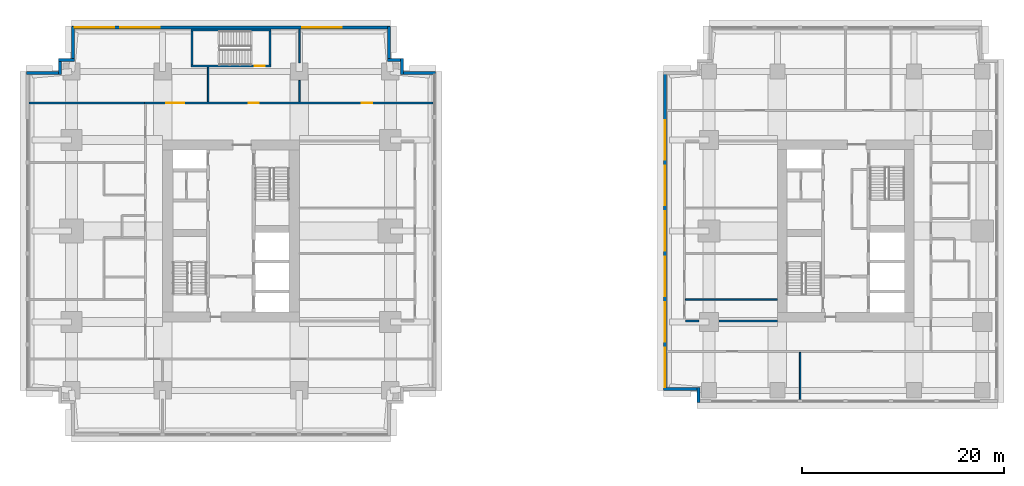
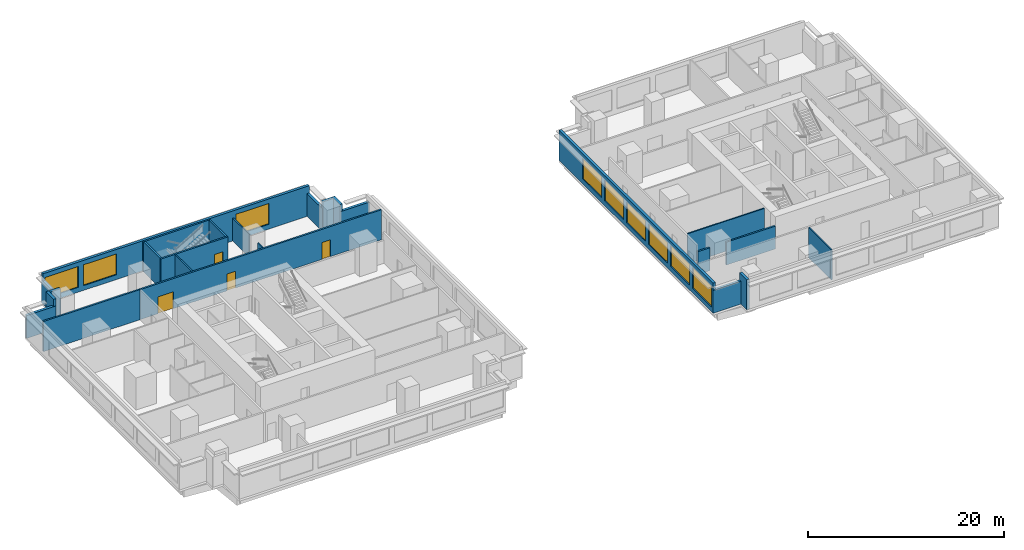
# One storey, part 5 of 10: 25 walls, 9 windows, 4 doors, 13 openings.
"""IFC4 building model written with IfcOpenShell, lengths in metres."""

from ifc_helpers import new_model, si_unit, direction, frame, frame_2d, origin, place, context, subcontext, project, spatial, rectangle, extrude, material, layer, layer_set, type_object, element, fill, save


model = new_model("IFC4")

# Units and contexts
model_context = context("Model", 3, precision=1e-05, world=origin(), true_north=direction((0.0, 1.0)))
body_context = subcontext(model_context, "Body", "Model", "MODEL_VIEW")
ifc_project = project(units=[si_unit("LENGTHUNIT", "METRE"), si_unit("AREAUNIT", "SQUARE_METRE"), si_unit("VOLUMEUNIT", "CUBIC_METRE"), si_unit("PLANEANGLEUNIT", "RADIAN"), si_unit("MASSUNIT", "GRAM", prefix="KILO")], contexts=[model_context])

# Site, building, storey
site_placement = place(None, origin())
site = spatial("IfcSite", under=ifc_project, at=site_placement, CompositionType="ELEMENT")
building_placement = place(site_placement, origin())
building = spatial("IfcBuilding", under=site, at=building_placement, Name="Namib Vertical Campus", CompositionType="ELEMENT")
storey_placement = place(building_placement, frame((0.0, 0.0, 157.0)))
storey = spatial("IfcBuildingStorey", under=building, at=storey_placement, Name="L37", CompositionType="ELEMENT", Elevation=157.0)

# Wall, openings, doors
ifc_material_1 = material(Name="Concrete masonry", Category="masonry")
ifc_layer_1 = layer(ifc_material_1, 0.199951171875)
ifc_layer_set_1 = layer_set([ifc_layer_1], Name="Corridor wall 200")
wall_type_1 = type_object("IfcWallType", Name="Corridor wall 200", PredefinedType="SOLIDWALL", material=ifc_layer_set_1)
wall_1_placement = place(storey_placement, frame((40.199951171875, 32.89990234375, 0.0), z_axis=(0.0, 0.0, 1.0), x_axis=(-1.0, 0.0, 0.0)))
wall_1 = element("IfcWall", 1, at=wall_1_placement, inside=storey, type_object=wall_type_1, Name="Corridor wall A L37 CN", PredefinedType="SOLIDWALL", context=body_context, shape_type="SweptSolid", body=[
    extrude(rectangle(XDim=28.5, YDim=0.199951171875, at=frame_2d((14.25, 0.0))), origin(), (0.0, 0.0, 1.0), 3.75),
])
opening_1_placement = place(wall_1_placement, frame((24.550048828125, 0.0, 0.0)))
opening_1 = element("IfcOpeningElement", 2, at=opening_1_placement, cuts=wall_1, Name="Opening CD2", PredefinedType="OPENING", context=body_context, shape_type="SweptSolid", body=[
    extrude(rectangle(XDim=1.800048828125, YDim=2.10009765625, at=frame_2d((0.89990234375, 1.050048828125))), frame((0.0, 0.10986328125, 0.0), z_axis=(0.0, -1.0, 0.0), x_axis=(1.0, 0.0, 0.0)), (0.0, 0.0, 1.0), 0.219970703125),
])
opening_2_placement = place(wall_1_placement, frame((17.199951171875, 0.0, 0.0)))
opening_2 = element("IfcOpeningElement", 3, at=opening_2_placement, cuts=wall_1, Name="Opening CD1", PredefinedType="OPENING", context=body_context, shape_type="SweptSolid", body=[
    extrude(rectangle(XDim=1.0, YDim=2.10009765625, at=frame_2d((0.5, 1.050048828125))), frame((0.0, 0.10986328125, 0.0), z_axis=(0.0, -1.0, 0.0), x_axis=(1.0, 0.0, 0.0)), (0.0, 0.0, 1.0), 0.219970703125),
])
opening_3_placement = place(wall_1_placement, frame((6.0, 0.0, 0.0)))
opening_3 = element("IfcOpeningElement", 4, at=opening_3_placement, cuts=wall_1, Name="Opening CD1", PredefinedType="OPENING", context=body_context, shape_type="SweptSolid", body=[
    extrude(rectangle(XDim=1.0, YDim=2.10009765625, at=frame_2d((0.5, 1.050048828125))), frame((0.0, 0.10986328125, 0.0), z_axis=(0.0, -1.0, 0.0), x_axis=(1.0, 0.0, 0.0)), (0.0, 0.0, 1.0), 0.219970703125),
])
ifc_material_2 = material(Name="Timber fire door leaf", Category="wood")
door_type_1 = type_object("IfcDoorType", Name="Corridor door 1000x2100 20 min", OperationType="SINGLE_SWING_LEFT", PredefinedType="DOOR", material=ifc_material_2)
door_1_placement = place(opening_2_placement, frame((1.0, 0.0, 0.0), z_axis=(0.0, 0.0, 1.0), x_axis=(-1.0, 0.0, 0.0)))
door_1 = element("IfcDoor", 5, at=door_1_placement, inside=storey, type_object=door_type_1, Name="Door CD1 A37-08", OperationType="SINGLE_SWING_RIGHT", OverallHeight=2.10009765625, OverallWidth=1.0, PredefinedType="DOOR", context=body_context, shape_type="SweptSolid", body=[
    extrude(rectangle(XDim=1.0, YDim=2.10009765625, at=frame_2d((0.5, 1.050048828125))), frame((0.0, 0.02490234375, 0.0), z_axis=(0.0, -1.0, 0.0), x_axis=(1.0, 0.0, 0.0)), (0.0, 0.0, 1.0), 0.050048828125),
])
fill(opening_2, door_1)
door_2_placement = place(opening_3_placement, frame((1.0, 0.0, 0.0), z_axis=(0.0, 0.0, 1.0), x_axis=(-1.0, 0.0, 0.0)))
door_2 = element("IfcDoor", 6, at=door_2_placement, inside=storey, type_object=door_type_1, Name="Door CD1 A37-09", OperationType="SINGLE_SWING_LEFT", OverallHeight=2.10009765625, OverallWidth=1.0, PredefinedType="DOOR", context=body_context, shape_type="SweptSolid", body=[
    extrude(rectangle(XDim=1.0, YDim=2.10009765625, at=frame_2d((0.5, 1.050048828125))), frame((0.0, 0.02490234375, 0.0), z_axis=(0.0, -1.0, 0.0), x_axis=(1.0, 0.0, 0.0)), (0.0, 0.0, 1.0), 0.050048828125),
])
fill(opening_3, door_2)
ifc_material_3 = material(Name="Timber fire door leaf", Category="wood")
door_type_2 = type_object("IfcDoorType", Name="Corridor door double 1800x2100 20 min", OperationType="DOUBLE_DOOR_SINGLE_SWING", PredefinedType="DOOR", material=ifc_material_3)
door_3_placement = place(opening_1_placement, frame((1.800048828125, 0.0, 0.0), z_axis=(0.0, 0.0, 1.0), x_axis=(-1.0, 0.0, 0.0)))
door_3 = element("IfcDoor", 7, at=door_3_placement, inside=storey, type_object=door_type_2, Name="Door CD2 A37-07", OperationType="DOUBLE_DOOR_SINGLE_SWING", OverallHeight=2.10009765625, OverallWidth=1.800048828125, PredefinedType="DOOR", context=body_context, shape_type="SweptSolid", body=[
    extrude(rectangle(XDim=1.800048828125, YDim=2.10009765625, at=frame_2d((0.89990234375, 1.050048828125))), frame((0.0, 0.02490234375, 0.0), z_axis=(0.0, -1.0, 0.0), x_axis=(1.0, 0.0, 0.0)), (0.0, 0.0, 1.0), 0.050048828125),
])
fill(opening_1, door_3)

# Walls
wall_2_placement = place(storey_placement, frame((0.300048828125, 32.89990234375, 0.0), z_axis=(0.0, 0.0, 1.0), x_axis=(1.0, 0.0, 0.0)))
element("IfcWall", 8, at=wall_2_placement, inside=storey, type_object=wall_type_1, Name="Partition A L37 BNW", PredefinedType="SOLIDWALL", context=body_context, shape_type="SweptSolid", body=[
    extrude(rectangle(XDim=11.39990234375, YDim=0.199951171875, at=frame_2d((5.699951171875, 0.0))), origin(), (0.0, 0.0, 1.0), 3.75),
])
wall_3_placement = place(storey_placement, frame((65.14990234375, 11.35009765625, 0.0), z_axis=(0.0, 0.0, 1.0), x_axis=(1.0, 0.0, 0.0)))
element("IfcWall", 9, at=wall_3_placement, inside=storey, type_object=wall_type_1, Name="Corridor wall B L37 GS", PredefinedType="SOLIDWALL", context=body_context, shape_type="SweptSolid", body=[
    extrude(rectangle(XDim=1.380126953125, YDim=0.199951171875, at=frame_2d((0.68994140625, 0.0))), origin(), (0.0, 0.0, 1.0), 2.85009765625),
])
wall_4_placement = place(storey_placement, frame((68.469970703125, 11.35009765625, 0.0), z_axis=(0.0, 0.0, 1.0), x_axis=(1.0, 0.0, 0.0)))
element("IfcWall", 10, at=wall_4_placement, inside=storey, type_object=wall_type_1, Name="Corridor wall B L37 GS", PredefinedType="SOLIDWALL", context=body_context, shape_type="SweptSolid", body=[
    extrude(rectangle(XDim=5.780029296875, YDim=0.199951171875, at=frame_2d((2.89013671875, 0.0))), origin(), (0.0, 0.0, 1.0), 2.85009765625),
])
ifc_material_4 = material(Name="Concrete C40/50", Category="concrete")
ifc_layer_2 = layer(ifc_material_4, 0.300048828125)
ifc_layer_set_2 = layer_set([ifc_layer_2], Name="Concrete C40/50")
wall_type_2 = type_object("IfcWallType", Name="External wall 300 board-marked concrete", PredefinedType="STANDARD", material=ifc_layer_set_2)
wall_5_placement = place(storey_placement, frame((40.47998046875, 35.85009765625, 0.0), z_axis=(0.0, 0.0, 1.0), x_axis=(-1.0, 0.0, 0.0)))
element("IfcWall", 11, at=wall_5_placement, inside=storey, type_object=wall_type_2, Name="External wall L37 F07", PredefinedType="STANDARD", context=body_context, shape_type="SweptSolid", body=[
    extrude(rectangle(XDim=3.4599609375, YDim=0.300048828125, at=frame_2d((1.72998046875, 0.0))), origin(), (0.0, 0.0, 1.0), 2.85009765625),
])
for number, where, z_axis, x_axis, name in (
    (12, (37.14990234375, 35.719970703125, 0.0), (0.0, 0.0, 1.0), (0.0, 1.0, 0.0), "External wall L37 F08"),
    (13, (37.280029296875, 37.14990234375, 0.0), (0.0, 0.0, 1.0), (-1.0, 0.0, 0.0), "External wall L37 F09"),
):
    element("IfcWall", number, at=place(storey_placement, frame(where, z_axis=z_axis, x_axis=x_axis)), inside=storey, type_object=wall_type_2, Name=name, PredefinedType="STANDARD", context=body_context, shape_type="SweptSolid", body=[
        extrude(rectangle(XDim=1.56005859375, YDim=0.300048828125, at=frame_2d((0.780029296875, 0.0))), origin(), (0.0, 0.0, 1.0), 3.75),
    ])
wall_6_placement = place(storey_placement, frame((35.85009765625, 37.02001953125, 0.0), z_axis=(0.0, 0.0, 1.0), x_axis=(0.0, 1.0, 0.0)))
element("IfcWall", 14, at=wall_6_placement, inside=storey, type_object=wall_type_2, Name="External wall L37 F10", PredefinedType="STANDARD", context=body_context, shape_type="SweptSolid", body=[
    extrude(rectangle(XDim=3.4599609375, YDim=0.300048828125, at=frame_2d((1.72998046875, 0.0))), origin(), (0.0, 0.0, 1.0), 2.85009765625),
])

# Wall, openings, windows
wall_7_placement = place(storey_placement, frame((35.97998046875, 40.35009765625, 0.0), z_axis=(0.0, 0.0, 1.0), x_axis=(-1.0, 0.0, 0.0)))
wall_7 = element("IfcWall", 15, at=wall_7_placement, inside=storey, type_object=wall_type_2, Name="External wall L37 F11", PredefinedType="STANDARD", context=body_context, shape_type="SweptSolid", body=[
    extrude(rectangle(XDim=31.4599609375, YDim=0.300048828125, at=frame_2d((15.72998046875, 0.0))), origin(), (0.0, 0.0, 1.0), 3.75),
])
opening_4_placement = place(wall_7_placement, frame((27.280029296875, 0.0, 0.60009765625)))
opening_4 = element("IfcOpeningElement", 16, at=opening_4_placement, cuts=wall_7, Name="Opening W2", PredefinedType="OPENING", context=body_context, shape_type="SweptSolid", body=[
    extrude(rectangle(XDim=3.89990234375, YDim=2.60009765625, at=frame_2d((1.949951171875, 1.300048828125))), frame((0.0, 0.159912109375, 0.0), z_axis=(0.0, -1.0, 0.0), x_axis=(1.0, 0.0, 0.0)), (0.0, 0.0, 1.0), 0.320068359375),
])
opening_5_placement = place(wall_7_placement, frame((22.780029296875, 0.0, 0.60009765625)))
opening_5 = element("IfcOpeningElement", 17, at=opening_5_placement, cuts=wall_7, Name="Opening W2", PredefinedType="OPENING", context=body_context, shape_type="SweptSolid", body=[
    extrude(rectangle(XDim=3.89990234375, YDim=2.60009765625, at=frame_2d((1.949951171875, 1.300048828125))), frame((0.0, 0.159912109375, 0.0), z_axis=(0.0, -1.0, 0.0), x_axis=(1.0, 0.0, 0.0)), (0.0, 0.0, 1.0), 0.320068359375),
])
opening_6_placement = place(wall_7_placement, frame((4.780029296875, 0.0, 0.60009765625)))
opening_6 = element("IfcOpeningElement", 18, at=opening_6_placement, cuts=wall_7, Name="Opening W2", PredefinedType="OPENING", context=body_context, shape_type="SweptSolid", body=[
    extrude(rectangle(XDim=3.89990234375, YDim=2.60009765625, at=frame_2d((1.949951171875, 1.300048828125))), frame((0.0, 0.159912109375, 0.0), z_axis=(0.0, -1.0, 0.0), x_axis=(1.0, 0.0, 0.0)), (0.0, 0.0, 1.0), 0.320068359375),
])
ifc_material_5 = material(Name="Dark tinted glass in black aluminium frame", Category="aluminium")
window_type = type_object("IfcWindowType", Name="Ribbon window 3900x2600", PartitioningType="SINGLE_PANEL", PredefinedType="WINDOW", material=ifc_material_5)
window_1_placement = place(opening_4_placement, origin())
window_1 = element("IfcWindow", 19, at=window_1_placement, inside=storey, type_object=window_type, Name="Window W2 L37 F11-1", OverallHeight=2.60009765625, OverallWidth=3.89990234375, PartitioningType="SINGLE_PANEL", PredefinedType="WINDOW", context=body_context, shape_type="SweptSolid", body=[
    extrude(rectangle(XDim=3.89990234375, YDim=2.60009765625, at=frame_2d((1.949951171875, 1.300048828125))), frame((0.0, 0.030029296875, 0.0), z_axis=(0.0, -1.0, 0.0), x_axis=(1.0, 0.0, 0.0)), (0.0, 0.0, 1.0), 0.06005859375),
])
fill(opening_4, window_1)
window_2_placement = place(opening_5_placement, origin())
window_2 = element("IfcWindow", 20, at=window_2_placement, inside=storey, type_object=window_type, Name="Window W2 L37 F11-2", OverallHeight=2.60009765625, OverallWidth=3.89990234375, PartitioningType="SINGLE_PANEL", PredefinedType="WINDOW", context=body_context, shape_type="SweptSolid", body=[
    extrude(rectangle(XDim=3.89990234375, YDim=2.60009765625, at=frame_2d((1.949951171875, 1.300048828125))), frame((0.0, 0.030029296875, 0.0), z_axis=(0.0, -1.0, 0.0), x_axis=(1.0, 0.0, 0.0)), (0.0, 0.0, 1.0), 0.06005859375),
])
fill(opening_5, window_2)
window_3_placement = place(opening_6_placement, origin())
window_3 = element("IfcWindow", 21, at=window_3_placement, inside=storey, type_object=window_type, Name="Window W2 L37 F11-6", OverallHeight=2.60009765625, OverallWidth=3.89990234375, PartitioningType="SINGLE_PANEL", PredefinedType="WINDOW", context=body_context, shape_type="SweptSolid", body=[
    extrude(rectangle(XDim=3.89990234375, YDim=2.60009765625, at=frame_2d((1.949951171875, 1.300048828125))), frame((0.0, 0.030029296875, 0.0), z_axis=(0.0, -1.0, 0.0), x_axis=(1.0, 0.0, 0.0)), (0.0, 0.0, 1.0), 0.06005859375),
])
fill(opening_6, window_3)

# Walls
wall_8_placement = place(storey_placement, frame((4.64990234375, 40.47998046875, 0.0), z_axis=(0.0, 0.0, 1.0), x_axis=(0.0, -1.0, 0.0)))
element("IfcWall", 22, at=wall_8_placement, inside=storey, type_object=wall_type_2, Name="External wall L37 F12", PredefinedType="STANDARD", context=body_context, shape_type="SweptSolid", body=[
    extrude(rectangle(XDim=3.4599609375, YDim=0.300048828125, at=frame_2d((1.72998046875, 0.0))), origin(), (0.0, 0.0, 1.0), 2.85009765625),
])
for number, where, z_axis, x_axis, name in (
    (23, (4.780029296875, 37.14990234375, 0.0), (0.0, 0.0, 1.0), (-1.0, 0.0, 0.0), "External wall L37 F13"),
    (24, (3.35009765625, 37.280029296875, 0.0), (0.0, 0.0, 1.0), (0.0, -1.0, 0.0), "External wall L37 F14"),
):
    element("IfcWall", number, at=place(storey_placement, frame(where, z_axis=z_axis, x_axis=x_axis)), inside=storey, type_object=wall_type_2, Name=name, PredefinedType="STANDARD", context=body_context, shape_type="SweptSolid", body=[
        extrude(rectangle(XDim=1.56005859375, YDim=0.300048828125, at=frame_2d((0.780029296875, 0.0))), origin(), (0.0, 0.0, 1.0), 3.75),
    ])
wall_9_placement = place(storey_placement, frame((3.47998046875, 35.85009765625, 0.0), z_axis=(0.0, 0.0, 1.0), x_axis=(-1.0, 0.0, 0.0)))
element("IfcWall", 25, at=wall_9_placement, inside=storey, type_object=wall_type_2, Name="External wall L37 F15", PredefinedType="STANDARD", context=body_context, shape_type="SweptSolid", body=[
    extrude(rectangle(XDim=3.4599609375, YDim=0.300048828125, at=frame_2d((1.72998046875, 0.0))), origin(), (0.0, 0.0, 1.0), 2.85009765625),
])
wall_10_placement = place(storey_placement, frame((63.02001953125, 4.64990234375, 0.0), z_axis=(0.0, 0.0, 1.0), x_axis=(1.0, 0.0, 0.0)))
element("IfcWall", 26, at=wall_10_placement, inside=storey, type_object=wall_type_2, Name="External wall L37 F01", PredefinedType="STANDARD", context=body_context, shape_type="SweptSolid", body=[
    extrude(rectangle(XDim=3.56005859375, YDim=0.300048828125, at=frame_2d((1.780029296875, 0.0))), origin(), (0.0, 0.0, 1.0), 2.85009765625),
])
wall_11_placement = place(storey_placement, frame((66.449951171875, 4.780029296875, 0.0), z_axis=(0.0, 0.0, 1.0), x_axis=(0.0, -1.0, 0.0)))
element("IfcWall", 27, at=wall_11_placement, inside=storey, type_object=wall_type_2, Name="External wall L37 F02", PredefinedType="STANDARD", context=body_context, shape_type="SweptSolid", body=[
    extrude(rectangle(XDim=1.4599609375, YDim=0.300048828125, at=frame_2d((0.72998046875, 0.0))), origin(), (0.0, 0.0, 1.0), 3.75),
])

# Wall, openings, windows
wall_12_placement = place(storey_placement, frame((63.14990234375, 35.97998046875, 0.0), z_axis=(0.0, 0.0, 1.0), x_axis=(0.0, -1.0, 0.0)))
wall_12 = element("IfcWall", 28, at=wall_12_placement, inside=storey, type_object=wall_type_2, Name="External wall L37 F12", PredefinedType="STANDARD", context=body_context, shape_type="SweptSolid", body=[
    extrude(rectangle(XDim=31.4599609375, YDim=0.300048828125, at=frame_2d((15.72998046875, 0.0))), origin(), (0.0, 0.0, 1.0), 3.75),
])
opening_7_placement = place(wall_12_placement, frame((27.280029296875, 0.0, 0.60009765625)))
opening_7 = element("IfcOpeningElement", 29, at=opening_7_placement, cuts=wall_12, Name="Opening W2", PredefinedType="OPENING", context=body_context, shape_type="SweptSolid", body=[
    extrude(rectangle(XDim=3.89990234375, YDim=2.60009765625, at=frame_2d((1.949951171875, 1.300048828125))), frame((0.0, 0.159912109375, 0.0), z_axis=(0.0, -1.0, 0.0), x_axis=(1.0, 0.0, 0.0)), (0.0, 0.0, 1.0), 0.320068359375),
])
opening_8_placement = place(wall_12_placement, frame((22.780029296875, 0.0, 0.60009765625)))
opening_8 = element("IfcOpeningElement", 30, at=opening_8_placement, cuts=wall_12, Name="Opening W2", PredefinedType="OPENING", context=body_context, shape_type="SweptSolid", body=[
    extrude(rectangle(XDim=3.89990234375, YDim=2.60009765625, at=frame_2d((1.949951171875, 1.300048828125))), frame((0.0, 0.159912109375, 0.0), z_axis=(0.0, -1.0, 0.0), x_axis=(1.0, 0.0, 0.0)), (0.0, 0.0, 1.0), 0.320068359375),
])
opening_9_placement = place(wall_12_placement, frame((18.280029296875, 0.0, 0.60009765625)))
opening_9 = element("IfcOpeningElement", 31, at=opening_9_placement, cuts=wall_12, Name="Opening W2", PredefinedType="OPENING", context=body_context, shape_type="SweptSolid", body=[
    extrude(rectangle(XDim=3.89990234375, YDim=2.60009765625, at=frame_2d((1.949951171875, 1.300048828125))), frame((0.0, 0.159912109375, 0.0), z_axis=(0.0, -1.0, 0.0), x_axis=(1.0, 0.0, 0.0)), (0.0, 0.0, 1.0), 0.320068359375),
])
opening_10_placement = place(wall_12_placement, frame((13.780029296875, 0.0, 0.60009765625)))
opening_10 = element("IfcOpeningElement", 32, at=opening_10_placement, cuts=wall_12, Name="Opening W2", PredefinedType="OPENING", context=body_context, shape_type="SweptSolid", body=[
    extrude(rectangle(XDim=3.89990234375, YDim=2.60009765625, at=frame_2d((1.949951171875, 1.300048828125))), frame((0.0, 0.159912109375, 0.0), z_axis=(0.0, -1.0, 0.0), x_axis=(1.0, 0.0, 0.0)), (0.0, 0.0, 1.0), 0.320068359375),
])
opening_11_placement = place(wall_12_placement, frame((9.280029296875, 0.0, 0.60009765625)))
opening_11 = element("IfcOpeningElement", 33, at=opening_11_placement, cuts=wall_12, Name="Opening W2", PredefinedType="OPENING", context=body_context, shape_type="SweptSolid", body=[
    extrude(rectangle(XDim=3.89990234375, YDim=2.60009765625, at=frame_2d((1.949951171875, 1.300048828125))), frame((0.0, 0.159912109375, 0.0), z_axis=(0.0, -1.0, 0.0), x_axis=(1.0, 0.0, 0.0)), (0.0, 0.0, 1.0), 0.320068359375),
])
opening_12_placement = place(wall_12_placement, frame((4.780029296875, 0.0, 0.60009765625)))
opening_12 = element("IfcOpeningElement", 34, at=opening_12_placement, cuts=wall_12, Name="Opening W2", PredefinedType="OPENING", context=body_context, shape_type="SweptSolid", body=[
    extrude(rectangle(XDim=3.89990234375, YDim=2.60009765625, at=frame_2d((1.949951171875, 1.300048828125))), frame((0.0, 0.159912109375, 0.0), z_axis=(0.0, -1.0, 0.0), x_axis=(1.0, 0.0, 0.0)), (0.0, 0.0, 1.0), 0.320068359375),
])
window_4_placement = place(opening_7_placement, origin())
window_4 = element("IfcWindow", 35, at=window_4_placement, inside=storey, type_object=window_type, Name="Window W2 L37 F12-1", OverallHeight=2.60009765625, OverallWidth=3.89990234375, PartitioningType="SINGLE_PANEL", PredefinedType="WINDOW", context=body_context, shape_type="SweptSolid", body=[
    extrude(rectangle(XDim=3.89990234375, YDim=2.60009765625, at=frame_2d((1.949951171875, 1.300048828125))), frame((0.0, 0.030029296875, 0.0), z_axis=(0.0, -1.0, 0.0), x_axis=(1.0, 0.0, 0.0)), (0.0, 0.0, 1.0), 0.06005859375),
])
fill(opening_7, window_4)
window_5_placement = place(opening_8_placement, origin())
window_5 = element("IfcWindow", 36, at=window_5_placement, inside=storey, type_object=window_type, Name="Window W2 L37 F12-2", OverallHeight=2.60009765625, OverallWidth=3.89990234375, PartitioningType="SINGLE_PANEL", PredefinedType="WINDOW", context=body_context, shape_type="SweptSolid", body=[
    extrude(rectangle(XDim=3.89990234375, YDim=2.60009765625, at=frame_2d((1.949951171875, 1.300048828125))), frame((0.0, 0.030029296875, 0.0), z_axis=(0.0, -1.0, 0.0), x_axis=(1.0, 0.0, 0.0)), (0.0, 0.0, 1.0), 0.06005859375),
])
fill(opening_8, window_5)
window_6_placement = place(opening_9_placement, origin())
window_6 = element("IfcWindow", 37, at=window_6_placement, inside=storey, type_object=window_type, Name="Window W2 L37 F12-3", OverallHeight=2.60009765625, OverallWidth=3.89990234375, PartitioningType="SINGLE_PANEL", PredefinedType="WINDOW", context=body_context, shape_type="SweptSolid", body=[
    extrude(rectangle(XDim=3.89990234375, YDim=2.60009765625, at=frame_2d((1.949951171875, 1.300048828125))), frame((0.0, 0.030029296875, 0.0), z_axis=(0.0, -1.0, 0.0), x_axis=(1.0, 0.0, 0.0)), (0.0, 0.0, 1.0), 0.06005859375),
])
fill(opening_9, window_6)
window_7_placement = place(opening_10_placement, origin())
window_7 = element("IfcWindow", 38, at=window_7_placement, inside=storey, type_object=window_type, Name="Window W2 L37 F12-4", OverallHeight=2.60009765625, OverallWidth=3.89990234375, PartitioningType="SINGLE_PANEL", PredefinedType="WINDOW", context=body_context, shape_type="SweptSolid", body=[
    extrude(rectangle(XDim=3.89990234375, YDim=2.60009765625, at=frame_2d((1.949951171875, 1.300048828125))), frame((0.0, 0.030029296875, 0.0), z_axis=(0.0, -1.0, 0.0), x_axis=(1.0, 0.0, 0.0)), (0.0, 0.0, 1.0), 0.06005859375),
])
fill(opening_10, window_7)
window_8_placement = place(opening_11_placement, origin())
window_8 = element("IfcWindow", 39, at=window_8_placement, inside=storey, type_object=window_type, Name="Window W2 L37 F12-5", OverallHeight=2.60009765625, OverallWidth=3.89990234375, PartitioningType="SINGLE_PANEL", PredefinedType="WINDOW", context=body_context, shape_type="SweptSolid", body=[
    extrude(rectangle(XDim=3.89990234375, YDim=2.60009765625, at=frame_2d((1.949951171875, 1.300048828125))), frame((0.0, 0.030029296875, 0.0), z_axis=(0.0, -1.0, 0.0), x_axis=(1.0, 0.0, 0.0)), (0.0, 0.0, 1.0), 0.06005859375),
])
fill(opening_11, window_8)
window_9_placement = place(opening_12_placement, origin())
window_9 = element("IfcWindow", 40, at=window_9_placement, inside=storey, type_object=window_type, Name="Window W2 L37 F12-6", OverallHeight=2.60009765625, OverallWidth=3.89990234375, PartitioningType="SINGLE_PANEL", PredefinedType="WINDOW", context=body_context, shape_type="SweptSolid", body=[
    extrude(rectangle(XDim=3.89990234375, YDim=2.60009765625, at=frame_2d((1.949951171875, 1.300048828125))), frame((0.0, 0.030029296875, 0.0), z_axis=(0.0, -1.0, 0.0), x_axis=(1.0, 0.0, 0.0)), (0.0, 0.0, 1.0), 0.06005859375),
])
fill(opening_12, window_9)

# Walls
ifc_material_6 = material(Name="Gypsum board on steel studs", Category="steel")
ifc_layer_3 = layer(ifc_material_6, 0.14990234375)
ifc_layer_set_3 = layer_set([ifc_layer_3], Name="Gypsum board on steel studs")
wall_type_3 = type_object("IfcWallType", Name="Partition 150", PredefinedType="PARTITIONING", material=ifc_layer_set_3)
wall_13_placement = place(storey_placement, frame((18.0, 33.0, 0.0), z_axis=(0.0, 0.0, 1.0), x_axis=(0.0, 1.0, 0.0)))
element("IfcWall", 41, at=wall_13_placement, inside=storey, type_object=wall_type_3, Name="Partition A L37 PN1", PredefinedType="PARTITIONING", context=body_context, shape_type="SweptSolid", body=[
    extrude(rectangle(XDim=3.449951171875, YDim=0.14990234375, at=frame_2d((1.72509765625, 0.0))), origin(), (0.0, 0.0, 1.0), 3.75),
])
wall_14_placement = place(storey_placement, frame((27.0, 33.0, 0.0), z_axis=(0.0, 0.0, 1.0), x_axis=(0.0, 1.0, 0.0)))
element("IfcWall", 42, at=wall_14_placement, inside=storey, type_object=wall_type_3, Name="Partition A L37 PN2", PredefinedType="PARTITIONING", context=body_context, shape_type="SweptSolid", body=[
    extrude(rectangle(XDim=2.1298828125, YDim=0.14990234375, at=frame_2d((1.06494140625, 0.0))), origin(), (0.0, 0.0, 1.0), 2.85009765625),
])
wall_15_placement = place(storey_placement, frame((27.0, 36.8701171875, 0.0), z_axis=(0.0, 0.0, 1.0), x_axis=(0.0, 1.0, 0.0)))
element("IfcWall", 43, at=wall_15_placement, inside=storey, type_object=wall_type_3, Name="Partition A L37 PN2", PredefinedType="PARTITIONING", context=body_context, shape_type="SweptSolid", body=[
    extrude(rectangle(XDim=3.329833984375, YDim=0.14990234375, at=frame_2d((1.6650390625, 0.0))), origin(), (0.0, 0.0, 1.0), 2.85009765625),
])
wall_16_placement = place(storey_placement, frame((76.5, 3.60009765625, 0.0), z_axis=(0.0, 0.0, 1.0), x_axis=(0.0, 1.0, 0.0)))
element("IfcWall", 44, at=wall_16_placement, inside=storey, type_object=wall_type_3, Name="Partition B L37 PS1", PredefinedType="PARTITIONING", context=body_context, shape_type="SweptSolid", body=[
    extrude(rectangle(XDim=4.64990234375, YDim=0.14990234375, at=frame_2d((2.324951171875, 0.0))), origin(), (0.0, 0.0, 1.0), 3.75),
])
wall_17_placement = place(storey_placement, frame((65.14990234375, 13.5, 0.0), z_axis=(0.0, 0.0, 1.0), x_axis=(1.0, 0.0, 0.0)))
element("IfcWall", 45, at=wall_17_placement, inside=storey, type_object=wall_type_3, Name="Partition B L37 PW1", PredefinedType="PARTITIONING", context=body_context, shape_type="SweptSolid", body=[
    extrude(rectangle(XDim=9.10009765625, YDim=0.14990234375, at=frame_2d((4.550048828125, 0.0))), origin(), (0.0, 0.0, 1.0), 3.75),
])

# Wall, opening, door
ifc_material_7 = material(Name="Concrete C40/50", Category="concrete")
ifc_layer_4 = layer(ifc_material_7, 0.199951171875)
ifc_layer_set_4 = layer_set([ifc_layer_4], Name="Concrete C40/50")
wall_type_4 = type_object("IfcWallType", Name="Stair enclosure wall RC 200", PredefinedType="SOLIDWALL", material=ifc_layer_set_4)
wall_18_placement = place(storey_placement, frame((16.300048828125, 36.550048828125, 0.0), z_axis=(0.0, 0.0, 1.0), x_axis=(1.0, 0.0, 0.0)))
wall_18 = element("IfcWall", 46, at=wall_18_placement, inside=storey, type_object=wall_type_4, Name="Stair enclosure wall A-S3 L37 S", PredefinedType="SOLIDWALL", context=body_context, shape_type="SweptSolid", body=[
    extrude(rectangle(XDim=7.89990234375, YDim=0.199951171875, at=frame_2d((3.949951171875, 0.0))), origin(), (0.0, 0.0, 1.0), 3.75),
])
opening_13_placement = place(wall_18_placement, frame((6.300048828125, 0.0, 0.0)))
opening_13 = element("IfcOpeningElement", 47, at=opening_13_placement, cuts=wall_18, Name="Opening FD1", PredefinedType="OPENING", context=body_context, shape_type="SweptSolid", body=[
    extrude(rectangle(XDim=1.0, YDim=2.10009765625, at=frame_2d((0.5, 1.050048828125))), frame((0.0, 0.10986328125, 0.0), z_axis=(0.0, -1.0, 0.0), x_axis=(1.0, 0.0, 0.0)), (0.0, 0.0, 1.0), 0.219970703125),
])
ifc_material_8 = material(Name="Steel fire door", Category="steel")
door_type_3 = type_object("IfcDoorType", Name="Fire door 1000x2100", OperationType="SINGLE_SWING_RIGHT", PredefinedType="DOOR", material=ifc_material_8)
door_4_placement = place(opening_13_placement, origin())
door_4 = element("IfcDoor", 48, at=door_4_placement, inside=storey, type_object=door_type_3, Name="Stair door FD1 A L37 S3", OperationType="SINGLE_SWING_RIGHT", OverallHeight=2.10009765625, OverallWidth=1.0, PredefinedType="DOOR", context=body_context, shape_type="SweptSolid", body=[
    extrude(rectangle(XDim=1.0, YDim=2.10009765625, at=frame_2d((0.5, 1.050048828125))), frame((0.0, 0.02490234375, 0.0), z_axis=(0.0, -1.0, 0.0), x_axis=(1.0, 0.0, 0.0)), (0.0, 0.0, 1.0), 0.050048828125),
])
fill(opening_13, door_4)

# Walls
wall_19_placement = place(storey_placement, frame((16.300048828125, 40.10009765625, 0.0), z_axis=(0.0, 0.0, 1.0), x_axis=(1.0, 0.0, 0.0)))
element("IfcWall", 49, at=wall_19_placement, inside=storey, type_object=wall_type_4, Name="Stair enclosure wall A-S3 L37 N", PredefinedType="SOLIDWALL", context=body_context, shape_type="SweptSolid", body=[
    extrude(rectangle(XDim=7.89990234375, YDim=0.199951171875, at=frame_2d((3.949951171875, 0.0))), origin(), (0.0, 0.0, 1.0), 3.75),
])
for number, where, z_axis, x_axis, name in (
    (50, (16.39990234375, 36.64990234375, 0.0), (0.0, 0.0, 1.0), (0.0, 1.0, 0.0), "Stair enclosure wall A-S3 L37 W"),
    (51, (24.10009765625, 36.64990234375, 0.0), (0.0, 0.0, 1.0), (0.0, 1.0, 0.0), "Stair enclosure wall A-S3 L37 E"),
):
    element("IfcWall", number, at=place(storey_placement, frame(where, z_axis=z_axis, x_axis=x_axis)), inside=storey, type_object=wall_type_4, Name=name, PredefinedType="SOLIDWALL", context=body_context, shape_type="SweptSolid", body=[
        extrude(rectangle(XDim=3.35009765625, YDim=0.199951171875, at=frame_2d((1.675048828125, 0.0))), origin(), (0.0, 0.0, 1.0), 3.75),
    ])

save(model, "model.ifc")
